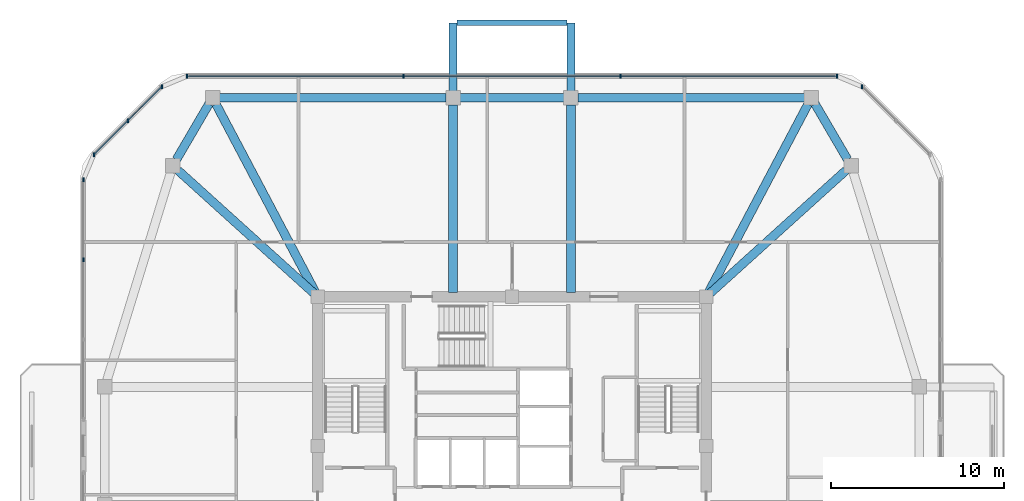
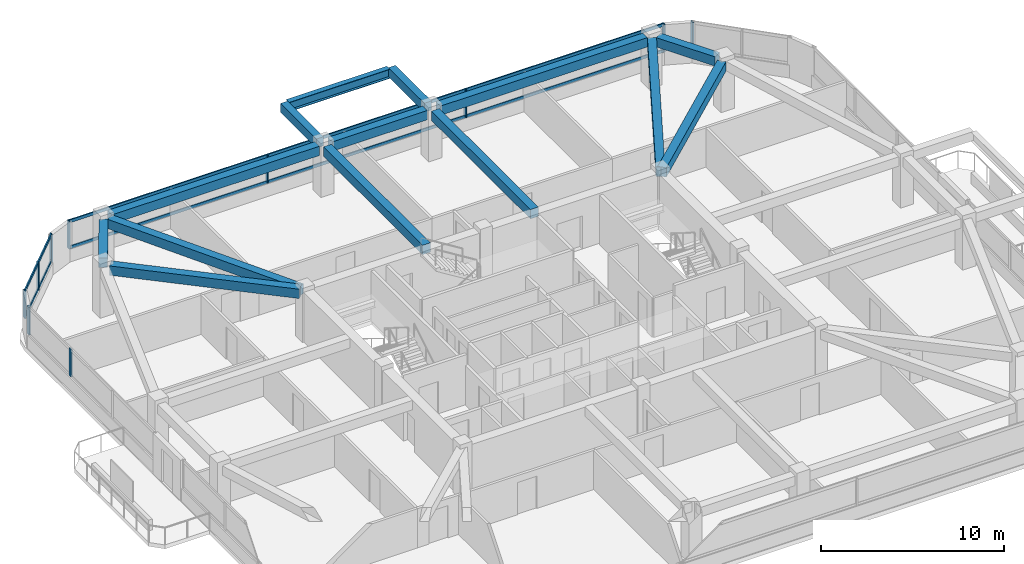
# One storey, part 6 of 13: 14 beams, 14 members, 4 elements without a shape of their own.
"""IFC4 building model written with IfcOpenShell, lengths in metres."""

from ifc_helpers import new_model, si_unit, derived_unit, direction, frame, origin, origin_2d, place, context, subcontext, project, spatial, rectangle, i_section, extrude, material, material_profile, profile_set, type_object, element, aggregate, save


model = new_model("IFC4")

# Units and contexts
model_context = context("Model", 3, precision=1e-05, world=origin(), true_north=direction((0.0, 1.0)))
body_context = subcontext(model_context, "Body", "Model", "MODEL_VIEW")
ifc_project = project(units=[si_unit("LENGTHUNIT", "METRE"), si_unit("AREAUNIT", "SQUARE_METRE"), si_unit("VOLUMEUNIT", "CUBIC_METRE"), si_unit("PLANEANGLEUNIT", "RADIAN"), si_unit("MASSUNIT", "GRAM", prefix="KILO"), derived_unit("THERMALTRANSMITTANCEUNIT", [(si_unit("POWERUNIT", "WATT"), 1), (si_unit("LENGTHUNIT", "METRE"), -2), (si_unit("THERMODYNAMICTEMPERATUREUNIT", "KELVIN"), -1)])], contexts=[model_context])

# Site, building, storey
site_placement = place(None, origin())
site = spatial("IfcSite", under=ifc_project, at=site_placement, CompositionType="ELEMENT")
building_placement = place(site_placement, origin())
building = spatial("IfcBuilding", under=site, at=building_placement, Name="Koralith Skygarden Medical Center", CompositionType="ELEMENT")
storey_placement = place(building_placement, frame((0.0, 0.0, 271.6201171875)))
storey = spatial("IfcBuildingStorey", under=building, at=storey_placement, Name="L70", CompositionType="ELEMENT", Elevation=271.6201171875)

# Curtain wall, member
ifc_material_1 = material(Name="Clear Laminated Glass", Category="glass")
curtain_wall_type = type_object("IfcCurtainWallType", Name="CW-6 Zone 5 Upper Clinical Curtain Wall", PredefinedType="NOTDEFINED", material=ifc_material_1)
curtain_wall_1_placement = place(storey_placement, origin())
curtain_wall_1 = element("IfcCurtainWall", 1, at=curtain_wall_1_placement, inside=storey, type_object=curtain_wall_type, Name="Curtain Wall CW-L70-NE", PredefinedType="NOTDEFINED")
ifc_material_2 = material(Name="Aluminium 6063-T6", Category="aluminium")
ifc_material_profile_1 = material_profile(ifc_material_2, rectangle(XDim=0.0830078125, YDim=0.219970703125, at=origin_2d()), Name="MUL83X220")
ifc_profile_set_1 = profile_set([ifc_material_profile_1], Name="Aluminium 6063-T6")
member_type_1 = type_object("IfcMemberType", Name="CW-6 Extruded Mullion 83x220", PredefinedType="MULLION", material=ifc_profile_set_1)
member_1_placement = place(storey_placement, frame((57.196044921875, 46.618896484375, 0.849853515625), z_axis=(0.0, 0.0, 1.0), x_axis=(1.0, 0.0, 0.0)))
member_1 = element("IfcMember", 2, at=member_1_placement, type_object=member_type_1, Name="CW-L70-NE Mullion 3", PredefinedType="MULLION", context=body_context, shape_type="SweptSolid", body=[
    extrude(rectangle(XDim=0.0830078125, YDim=0.219970703125, at=origin_2d()), origin(), (0.0, 0.0, 1.0), 1.840087890625),
])
aggregate(curtain_wall_1, [member_1])

# Curtain wall, members
curtain_wall_2_placement = place(storey_placement, origin())
curtain_wall_2 = element("IfcCurtainWall", 3, at=curtain_wall_2_placement, inside=storey, type_object=curtain_wall_type, Name="Curtain Wall CW-L70-N", PredefinedType="NOTDEFINED")
member_2_placement = place(storey_placement, frame((55.7451171875, 47.219970703125, 0.849853515625), z_axis=(0.0, 0.0, 1.0), x_axis=(1.0, 0.0, 0.0)))
member_2 = element("IfcMember", 4, at=member_2_placement, type_object=member_type_1, Name="CW-L70-N Mullion 1", PredefinedType="MULLION", context=body_context, shape_type="SweptSolid", body=[
    extrude(rectangle(XDim=0.0830078125, YDim=0.219970703125, at=origin_2d()), origin(), (0.0, 0.0, 1.0), 1.840087890625),
])
member_3_placement = place(storey_placement, frame((43.248046875, 47.219970703125, 0.849853515625), z_axis=(0.0, 0.0, 1.0), x_axis=(1.0, 0.0, 0.0)))
member_3 = element("IfcMember", 5, at=member_3_placement, type_object=member_type_1, Name="CW-L70-N Mullion 2", PredefinedType="MULLION", context=body_context, shape_type="SweptSolid", body=[
    extrude(rectangle(XDim=0.0830078125, YDim=0.219970703125, at=origin_2d()), origin(), (0.0, 0.0, 1.0), 1.840087890625),
])
member_4_placement = place(storey_placement, frame((30.751953125, 47.219970703125, 0.849853515625), z_axis=(0.0, 0.0, 1.0), x_axis=(1.0, 0.0, 0.0)))
member_4 = element("IfcMember", 6, at=member_4_placement, type_object=member_type_1, Name="CW-L70-N Mullion 3", PredefinedType="MULLION", context=body_context, shape_type="SweptSolid", body=[
    extrude(rectangle(XDim=0.0830078125, YDim=0.219970703125, at=origin_2d()), origin(), (0.0, 0.0, 1.0), 1.840087890625),
])
member_5_placement = place(storey_placement, frame((18.2548828125, 47.219970703125, 0.849853515625), z_axis=(0.0, 0.0, 1.0), x_axis=(1.0, 0.0, 0.0)))
member_5 = element("IfcMember", 7, at=member_5_placement, type_object=member_type_1, Name="CW-L70-N Mullion 4", PredefinedType="MULLION", context=body_context, shape_type="SweptSolid", body=[
    extrude(rectangle(XDim=0.0830078125, YDim=0.219970703125, at=origin_2d()), origin(), (0.0, 0.0, 1.0), 1.840087890625),
])

curtain_wall_3_placement = place(storey_placement, origin())
curtain_wall_3 = element("IfcCurtainWall", 8, at=curtain_wall_3_placement, inside=storey, type_object=curtain_wall_type, Name="Curtain Wall CW-L70-NW", PredefinedType="NOTDEFINED")
member_6_placement = place(storey_placement, frame((16.803955078125, 46.618896484375, 0.849853515625), z_axis=(0.0, 0.0, 1.0), x_axis=(1.0, 0.0, 0.0)))
member_6 = element("IfcMember", 9, at=member_6_placement, type_object=member_type_1, Name="CW-L70-NW Mullion 1", PredefinedType="MULLION", context=body_context, shape_type="SweptSolid", body=[
    extrude(rectangle(XDim=0.0830078125, YDim=0.219970703125, at=origin_2d()), origin(), (0.0, 0.0, 1.0), 1.840087890625),
])
member_7_placement = place(storey_placement, frame((14.842041015625, 44.656982421875, 0.849853515625), z_axis=(0.0, 0.0, 1.0), x_axis=(1.0, 0.0, 0.0)))
member_7 = element("IfcMember", 10, at=member_7_placement, type_object=member_type_1, Name="CW-L70-NW Mullion 2", PredefinedType="MULLION", context=body_context, shape_type="SweptSolid", body=[
    extrude(rectangle(XDim=0.0830078125, YDim=0.219970703125, at=origin_2d()), origin(), (0.0, 0.0, 1.0), 1.840087890625),
])
member_8_placement = place(storey_placement, frame((12.881103515625, 42.696044921875, 0.849853515625), z_axis=(0.0, 0.0, 1.0), x_axis=(1.0, 0.0, 0.0)))
member_8 = element("IfcMember", 11, at=member_8_placement, type_object=member_type_1, Name="CW-L70-NW Mullion 3", PredefinedType="MULLION", context=body_context, shape_type="SweptSolid", body=[
    extrude(rectangle(XDim=0.0830078125, YDim=0.219970703125, at=origin_2d()), origin(), (0.0, 0.0, 1.0), 1.840087890625),
])

curtain_wall_4_placement = place(storey_placement, origin())
curtain_wall_4 = element("IfcCurtainWall", 12, at=curtain_wall_4_placement, inside=storey, type_object=curtain_wall_type, Name="Curtain Wall CW-L70-W-L", PredefinedType="NOTDEFINED")
member_9_placement = place(storey_placement, frame((12.280029296875, 41.2451171875, 0.849853515625), z_axis=(0.0, 0.0, 1.0), x_axis=(1.0, 0.0, 0.0)))
member_9 = element("IfcMember", 13, at=member_9_placement, type_object=member_type_1, Name="CW-L70-W-L Mullion 1", PredefinedType="MULLION", context=body_context, shape_type="SweptSolid", body=[
    extrude(rectangle(XDim=0.0830078125, YDim=0.219970703125, at=origin_2d()), origin(), (0.0, 0.0, 1.0), 1.840087890625),
])
member_10_placement = place(storey_placement, frame((12.280029296875, 36.64306640625, 0.849853515625), z_axis=(0.0, 0.0, 1.0), x_axis=(1.0, 0.0, 0.0)))
member_10 = element("IfcMember", 14, at=member_10_placement, type_object=member_type_1, Name="CW-L70-W-L Mullion 2", PredefinedType="MULLION", context=body_context, shape_type="SweptSolid", body=[
    extrude(rectangle(XDim=0.0830078125, YDim=0.219970703125, at=origin_2d()), origin(), (0.0, 0.0, 1.0), 1.840087890625),
])
aggregate(curtain_wall_4, [member_9, member_10])

# Member
ifc_material_profile_2 = material_profile(ifc_material_2, rectangle(XDim=0.077880859375, YDim=0.197998046875, at=origin_2d()), Name="TRN78X198")
ifc_profile_set_2 = profile_set([ifc_material_profile_2], Name="Aluminium 6063-T6")
member_type_2 = type_object("IfcMemberType", Name="CW-6 Thermal Transom 78x198", PredefinedType="USERDEFINED", material=ifc_profile_set_2)
member_11_placement = place(storey_placement, frame((55.7451171875, 47.219970703125, 0.89990234375), z_axis=(-1.0, 0.0, 0.0), x_axis=(0.0, -1.0, 0.0)))
member_11 = element("IfcMember", 15, at=member_11_placement, type_object=member_type_2, Name="CW-L70-N Transom 1", ObjectType="TRANSOM", PredefinedType="USERDEFINED", context=body_context, shape_type="SweptSolid", body=[
    extrude(rectangle(XDim=0.077880859375, YDim=0.197998046875, at=origin_2d()), origin(), (0.0, 0.0, 1.0), 37.490234375),
])

member_12_placement = place(storey_placement, frame((55.7451171875, 47.219970703125, 2.639892578125), z_axis=(-1.0, 0.0, 0.0), x_axis=(0.0, -1.0, 0.0)))
member_12 = element("IfcMember", 16, at=member_12_placement, type_object=member_type_2, Name="CW-L70-N Transom 2", ObjectType="TRANSOM", PredefinedType="USERDEFINED", context=body_context, shape_type="SweptSolid", body=[
    extrude(rectangle(XDim=0.077880859375, YDim=0.197998046875, at=origin_2d()), origin(), (0.0, 0.0, 1.0), 37.490234375),
])

aggregate(curtain_wall_2, [member_2, member_3, member_4, member_5, member_11, member_12])

member_13_placement = place(storey_placement, frame((16.803955078125, 46.618896484375, 0.89990234375), z_axis=(-0.707106781187, -0.707106781187, 0.0), x_axis=(0.707106781187, -0.707106781187, 0.0)))
member_13 = element("IfcMember", 17, at=member_13_placement, type_object=member_type_2, Name="CW-L70-NW Transom 1", ObjectType="TRANSOM", PredefinedType="USERDEFINED", context=body_context, shape_type="SweptSolid", body=[
    extrude(rectangle(XDim=0.077880859375, YDim=0.197998046875, at=origin_2d()), origin(), (0.0, 0.0, 1.0), 5.5478515625),
])

member_14_placement = place(storey_placement, frame((16.803955078125, 46.618896484375, 2.639892578125), z_axis=(-0.707106781187, -0.707106781187, 0.0), x_axis=(0.707106781187, -0.707106781187, 0.0)))
member_14 = element("IfcMember", 18, at=member_14_placement, type_object=member_type_2, Name="CW-L70-NW Transom 2", ObjectType="TRANSOM", PredefinedType="USERDEFINED", context=body_context, shape_type="SweptSolid", body=[
    extrude(rectangle(XDim=0.077880859375, YDim=0.197998046875, at=origin_2d()), origin(), (0.0, 0.0, 1.0), 5.5478515625),
])

aggregate(curtain_wall_3, [member_6, member_7, member_8, member_13, member_14])

# Beams
ifc_material_3 = material(Name="Steel ASTM A992 Grade 50", Category="steel")
ifc_material_profile_3 = material_profile(ifc_material_3, i_section(OverallWidth=0.326904296875, OverallDepth=0.6220703125, WebThickness=0.015380859375, FlangeThickness=0.0244140625, at=origin_2d()), Name="W24X131")
ifc_profile_set_3 = profile_set([ifc_material_profile_3], Name="Steel ASTM A992 Grade 50")
beam_type_1 = type_object("IfcBeamType", Name="Cantilever Tie Beam W24X131", PredefinedType="BEAM", material=ifc_profile_set_3)
beam_1_placement = place(storey_placement, frame((33.820068359375, 50.300048828125, 3.02880859375), z_axis=(1.0, 0.0, 0.0), x_axis=(0.0, 1.0, 0.0)))
element("IfcBeam", 19, at=beam_1_placement, inside=storey, type_object=beam_type_1, Name="L71 N Balcony Tip Tie Beam", PredefinedType="BEAM", context=body_context, shape_type="SweptSolid", body=[
    extrude(i_section(OverallWidth=0.326904296875, OverallDepth=0.6220703125, WebThickness=0.015380859375, FlangeThickness=0.0244140625, at=origin_2d()), origin(), (0.0, 0.0, 1.0), 6.35986328125),
])
ifc_material_4 = material(Name="Concrete C45/55", Category="concrete")
ifc_material_profile_4 = material_profile(ifc_material_4, rectangle(XDim=0.449951171875, YDim=0.60009765625, at=origin_2d()), Name="RCB450X600")
ifc_profile_set_4 = profile_set([ifc_material_profile_4], Name="Concrete C45/55")
beam_type_2 = type_object("IfcBeamType", Name="Planted Balcony Cantilever Beam RCB450X600", PredefinedType="BEAM", material=ifc_profile_set_4)
for number, where, z_axis, x_axis, name in (
    (20, (33.60009765625, 46.3798828125, 3.039794921875), (0.0, 1.0, 0.0), (-1.0, 0.0, 0.0), "L71 N Balcony Cantilever Beam A"),
    (21, (40.39990234375, 46.3798828125, 3.039794921875), (0.0, 1.0, 0.0), (-1.0, 0.0, 0.0), "L71 N Balcony Cantilever Beam B"),
):
    element("IfcBeam", number, at=place(storey_placement, frame(where, z_axis=z_axis, x_axis=x_axis)), inside=storey, type_object=beam_type_2, Name=name, PredefinedType="BEAM", context=body_context, shape_type="SweptSolid", body=[
        extrude(rectangle(XDim=0.449951171875, YDim=0.60009765625, at=origin_2d()), origin(), (0.0, 0.0, 1.0), 3.920166015625),
    ])
ifc_material_profile_5 = material_profile(ifc_material_4, rectangle(XDim=0.5, YDim=0.6201171875, at=origin_2d()), Name="RCB500X620")
ifc_profile_set_5 = profile_set([ifc_material_profile_5], Name="Concrete C45/55")
beam_type_3 = type_object("IfcBeamType", Name="Upper Radial Collector Beam RCB500X620", PredefinedType="BEAM", material=ifc_profile_set_5)
beam_2_placement = place(storey_placement, frame((48.385009765625, 34.66796875, 3.009765625), z_axis=(0.741747768548, 0.670678945438, 0.0), x_axis=(-0.670678945438, 0.741747768548, 0.0)))
element("IfcBeam", 22, at=beam_2_placement, inside=storey, type_object=beam_type_3, Name="L70 Radial Collector Beam RB-10", PredefinedType="BEAM", context=body_context, shape_type="SweptSolid", body=[
    extrude(rectangle(XDim=0.5, YDim=0.6201171875, at=origin_2d()), origin(), (0.0, 0.0, 1.0), 10.611572265625),
])
beam_3_placement = place(storey_placement, frame((48.31689453125, 34.720947265625, 3.009765625), z_axis=(0.467256895772, 0.884121594213, 0.0), x_axis=(-0.884121594213, 0.467256895772, 0.0)))
element("IfcBeam", 23, at=beam_3_placement, inside=storey, type_object=beam_type_3, Name="L70 Radial Collector Beam RB-11", PredefinedType="BEAM", context=body_context, shape_type="SweptSolid", body=[
    extrude(rectangle(XDim=0.5, YDim=0.6201171875, at=origin_2d()), origin(), (0.0, 0.0, 1.0), 12.3251953125),
])
for number, where, z_axis, x_axis, name in (
    (24, (40.39990234375, 34.75, 3.009765625), (0.0, 1.0, 0.0), (-1.0, 0.0, 0.0), "L70 Radial Collector Beam RB-12"),
    (25, (33.60009765625, 34.75, 3.009765625), (0.0, 1.0, 0.0), (-1.0, 0.0, 0.0), "L70 Radial Collector Beam RB-13"),
):
    element("IfcBeam", number, at=place(storey_placement, frame(where, z_axis=z_axis, x_axis=x_axis)), inside=storey, type_object=beam_type_3, Name=name, PredefinedType="BEAM", context=body_context, shape_type="SweptSolid", body=[
        extrude(rectangle(XDim=0.5, YDim=0.6201171875, at=origin_2d()), origin(), (0.0, 0.0, 1.0), 10.820068359375),
    ])
beam_4_placement = place(storey_placement, frame((25.68310546875, 34.720947265625, 3.009765625), z_axis=(-0.467256895772, 0.884121594213, 0.0), x_axis=(-0.884121594213, -0.467256895772, 0.0)))
element("IfcBeam", 26, at=beam_4_placement, inside=storey, type_object=beam_type_3, Name="L70 Radial Collector Beam RB-14", PredefinedType="BEAM", context=body_context, shape_type="SweptSolid", body=[
    extrude(rectangle(XDim=0.5, YDim=0.6201171875, at=origin_2d()), origin(), (0.0, 0.0, 1.0), 12.3251953125),
])
beam_5_placement = place(storey_placement, frame((25.614990234375, 34.66796875, 3.009765625), z_axis=(-0.741747768548, 0.670678945438, 0.0), x_axis=(-0.670678945438, -0.741747768548, 0.0)))
element("IfcBeam", 27, at=beam_5_placement, inside=storey, type_object=beam_type_3, Name="L70 Radial Collector Beam RB-15", PredefinedType="BEAM", context=body_context, shape_type="SweptSolid", body=[
    extrude(rectangle(XDim=0.5, YDim=0.6201171875, at=origin_2d()), origin(), (0.0, 0.0, 1.0), 10.611572265625),
])
ifc_material_profile_6 = material_profile(ifc_material_4, rectangle(XDim=0.5, YDim=0.6201171875, at=origin_2d()), Name="RCB500X620")
ifc_profile_set_6 = profile_set([ifc_material_profile_6], Name="Concrete C45/55")
beam_type_4 = type_object("IfcBeamType", Name="Zone 4-5 Spandrel Beam RCB500X620", PredefinedType="SPANDREL", material=ifc_profile_set_6)
beam_6_placement = place(storey_placement, frame((56.35302734375, 42.4140625, 3.009765625), z_axis=(-0.50473571007, 0.863273921175, 0.0), x_axis=(-0.863273921175, -0.50473571007, 0.0)))
element("IfcBeam", 28, at=beam_6_placement, inside=storey, type_object=beam_type_4, Name="L70 Perimeter Spandrel Beam SP-10", PredefinedType="SPANDREL", context=body_context, shape_type="SweptSolid", body=[
    extrude(rectangle(XDim=0.5, YDim=0.6201171875, at=origin_2d()), origin(), (0.0, 0.0, 1.0), 3.720703125),
])
beam_7_placement = place(storey_placement, frame((53.85791015625, 45.97998046875, 3.009765625), z_axis=(-1.0, 0.0, 0.0), x_axis=(0.0, -1.0, 0.0)))
element("IfcBeam", 29, at=beam_7_placement, inside=storey, type_object=beam_type_4, Name="L70 Perimeter Spandrel Beam SP-11", PredefinedType="SPANDREL", context=body_context, shape_type="SweptSolid", body=[
    extrude(rectangle(XDim=0.5, YDim=0.6201171875, at=origin_2d()), origin(), (0.0, 0.0, 1.0), 13.0478515625),
])
beam_8_placement = place(storey_placement, frame((39.989990234375, 45.97998046875, 3.009765625), z_axis=(-1.0, 0.0, 0.0), x_axis=(0.0, -1.0, 0.0)))
element("IfcBeam", 30, at=beam_8_placement, inside=storey, type_object=beam_type_4, Name="L70 Perimeter Spandrel Beam SP-12", PredefinedType="SPANDREL", context=body_context, shape_type="SweptSolid", body=[
    extrude(rectangle(XDim=0.5, YDim=0.6201171875, at=origin_2d()), origin(), (0.0, 0.0, 1.0), 5.97998046875),
])
beam_9_placement = place(storey_placement, frame((33.18994140625, 45.97998046875, 3.009765625), z_axis=(-1.0, 0.0, 0.0), x_axis=(0.0, -1.0, 0.0)))
element("IfcBeam", 31, at=beam_9_placement, inside=storey, type_object=beam_type_4, Name="L70 Perimeter Spandrel Beam SP-13", PredefinedType="SPANDREL", context=body_context, shape_type="SweptSolid", body=[
    extrude(rectangle(XDim=0.5, YDim=0.6201171875, at=origin_2d()), origin(), (0.0, 0.0, 1.0), 13.0478515625),
])
beam_10_placement = place(storey_placement, frame((19.52490234375, 45.6259765625, 3.009765625), z_axis=(-0.50473571007, -0.863273921175, 0.0), x_axis=(0.863273921175, -0.50473571007, 0.0)))
element("IfcBeam", 32, at=beam_10_placement, inside=storey, type_object=beam_type_4, Name="L70 Perimeter Spandrel Beam SP-14", PredefinedType="SPANDREL", context=body_context, shape_type="SweptSolid", body=[
    extrude(rectangle(XDim=0.5, YDim=0.6201171875, at=origin_2d()), origin(), (0.0, 0.0, 1.0), 3.720703125),
])

save(model, "model.ifc")
